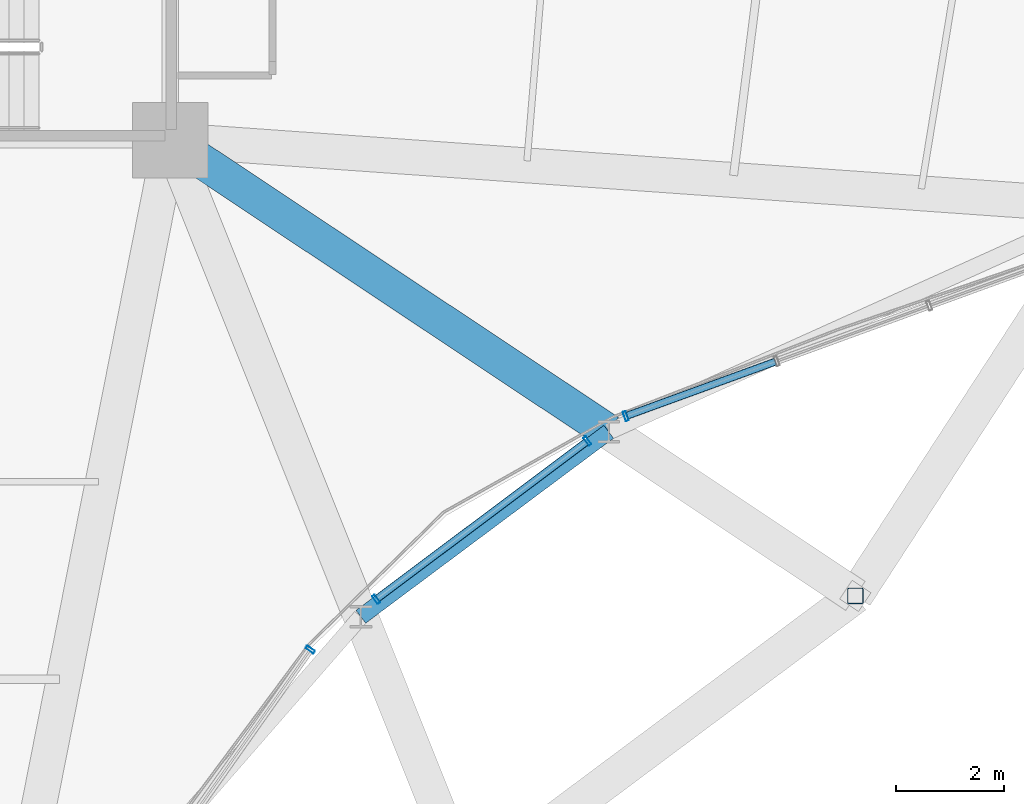
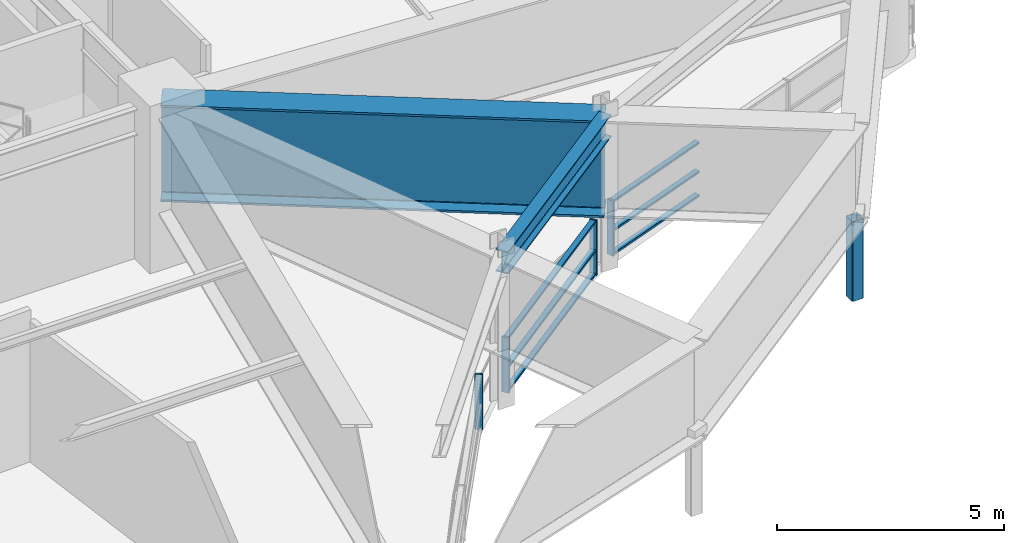
# One storey, part 22 of 53: 11 members, 2 beams, 3 elements without a shape of their own.
"""IFC4 building model written with IfcOpenShell, lengths in metres."""

from ifc_helpers import new_model, si_unit, direction, frame, origin, origin_2d, place, context, subcontext, project, spatial, hollow_rectangle, i_section, extrude, material, layer, layer_set, material_profile, profile_set, type_object, element, aggregate, save


model = new_model("IFC4")

# Units and contexts
model_context = context("Model", 3, precision=1e-05, world=origin(), true_north=direction((0.0, 1.0)))
body_context = subcontext(model_context, "Body", "Model", "MODEL_VIEW")
ifc_project = project(units=[si_unit("LENGTHUNIT", "METRE"), si_unit("AREAUNIT", "SQUARE_METRE"), si_unit("VOLUMEUNIT", "CUBIC_METRE"), si_unit("PLANEANGLEUNIT", "RADIAN"), si_unit("MASSUNIT", "GRAM", prefix="KILO")], contexts=[model_context])

# Site, building, storey
site_placement = place(None, origin())
site = spatial("IfcSite", under=ifc_project, at=site_placement, CompositionType="ELEMENT")
building_placement = place(site_placement, origin())
building = spatial("IfcBuilding", under=site, at=building_placement, Name="Kelanora Arch Commons", CompositionType="ELEMENT")
storey_placement = place(building_placement, frame((0.0, 0.0, 9.0)))
storey = spatial("IfcBuildingStorey", under=building, at=storey_placement, Name="L02", CompositionType="ELEMENT", Elevation=9.0)

# Beams
ifc_material_1 = material(Name="Steel S355", Category="steel")
ifc_material_profile_1 = material_profile(ifc_material_1, i_section(OverallWidth=0.300048828125, OverallDepth=0.60009765625, WebThickness=0.015380859375, FlangeThickness=0.030029296875, FilletRadius=0.027099609375, at=origin_2d()), Name="HEB600")
ifc_profile_set_1 = profile_set([ifc_material_profile_1], Name="Steel S355")
beam_type_1 = type_object("IfcBeamType", Name="BM-SPN-Z1", PredefinedType="SPANDREL", material=ifc_profile_set_1)
beam_1_placement = place(storey_placement, frame((85.545654296875, 42.133544921875, 3.800048828125), z_axis=(0.801474401239, 0.598029083038, 0.0), x_axis=(-0.598029083038, 0.801474401239, 0.0)))
element("IfcBeam", 1, at=beam_1_placement, inside=storey, type_object=beam_type_1, Name="Courtyard Inner Edge Spandrel BSC-30 L02", PredefinedType="SPANDREL", context=body_context, shape_type="SweptSolid", body=[
    extrude(i_section(OverallWidth=0.300048828125, OverallDepth=0.60009765625, WebThickness=0.015380859375, FlangeThickness=0.030029296875, FilletRadius=0.027099609375, at=origin_2d()), origin(), (0.0, 0.0, 1.0), 5.7529296875),
])
ifc_material_profile_2 = material_profile(ifc_material_1, i_section(OverallWidth=0.64990234375, OverallDepth=2.60009765625, WebThickness=0.034912109375, FlangeThickness=0.054931640625, FilletRadius=0.028076171875, at=origin_2d()), Name="PG2600x650")
ifc_profile_set_2 = profile_set([ifc_material_profile_2], Name="Steel S355")
beam_type_2 = type_object("IfcBeamType", Name="BM-XFER-ARCH", PredefinedType="USERDEFINED", material=ifc_profile_set_2)
beam_2_placement = place(storey_placement, frame((82.0, 51.0, 2.800048828125), z_axis=(0.832598158113, -0.553877519951, 0.0), x_axis=(0.553877519951, 0.832598158113, 0.0)))
element("IfcBeam", 2, at=beam_2_placement, inside=storey, type_object=beam_type_2, Name="Radial Inner Transfer Girder BRI-32 L02", ObjectType="TRANSFER_GIRDER", PredefinedType="USERDEFINED", context=body_context, shape_type="SweptSolid", body=[
    extrude(i_section(OverallWidth=0.64990234375, OverallDepth=2.60009765625, WebThickness=0.034912109375, FlangeThickness=0.054931640625, FilletRadius=0.028076171875, at=origin_2d()), origin(), (0.0, 0.0, 1.0), 9.79638671875),
])

# Curtain wall, member
ifc_material_2 = material(Name="Terracotta ceramic-fritted low-E glass and aluminium", Category="masonry")
ifc_layer = layer(ifc_material_2, 0.2099609375)
ifc_layer_set = layer_set([ifc_layer], Name="Terracotta ceramic-fritted low-E glass and aluminium")
curtain_wall_type = type_object("IfcCurtainWallType", Name="CW-SYS-04", PredefinedType="NOTDEFINED", material=ifc_layer_set)
curtain_wall_1_placement = place(storey_placement, origin())
curtain_wall_1 = element("IfcCurtainWall", 3, at=curtain_wall_1_placement, inside=storey, type_object=curtain_wall_type, Name="Unitised Curtain Wall L02-B14", PredefinedType="NOTDEFINED")
ifc_material_3 = material(Name="Powder-coated aluminium terracotta", Category="masonry")
ifc_material_profile_3 = material_profile(ifc_material_3, hollow_rectangle(XDim=0.179931640625, YDim=0.06005859375, WallThickness=0.0048828125, InnerFilletRadius=0.0048828125, OuterFilletRadius=0.010009765625, at=origin_2d()), Name="CWM180x60")
ifc_profile_set_3 = profile_set([ifc_material_profile_3], Name="Powder-coated aluminium terracotta")
member_type_1 = type_object("IfcMemberType", Name="CWM-HVY", PredefinedType="MULLION", material=ifc_profile_set_3)
member_1_placement = place(storey_placement, frame((84.60498046875, 41.522705078125, 0.0), z_axis=(0.0, 0.0, 1.0), x_axis=(-0.817206133555, 0.576345499922, 0.0)))
member_1 = element("IfcMember", 4, at=member_1_placement, type_object=member_type_1, Name="CW-04 mullion 3", PredefinedType="MULLION", context=body_context, shape_type="SweptSolid", body=[
    extrude(hollow_rectangle(XDim=0.179931640625, YDim=0.06005859375, WallThickness=0.0048828125, InnerFilletRadius=0.0048828125, OuterFilletRadius=0.010009765625, at=origin_2d()), origin(), (0.0, 0.0, 1.0), 1.47998046875),
])
aggregate(curtain_wall_1, [member_1])

# Curtain wall, members
curtain_wall_2_placement = place(storey_placement, origin())
curtain_wall_2 = element("IfcCurtainWall", 5, at=curtain_wall_2_placement, inside=storey, type_object=curtain_wall_type, Name="Unitised Curtain Wall L02-B15", PredefinedType="NOTDEFINED")
member_2_placement = place(storey_placement, frame((85.830810546875, 42.45849609375, 0.0), z_axis=(0.0, 0.0, 1.0), x_axis=(-0.599587813185, 0.80030897426, 0.0)))
member_2 = element("IfcMember", 6, at=member_2_placement, type_object=member_type_1, Name="CW-04 mullion 1", PredefinedType="MULLION", context=body_context, shape_type="SweptSolid", body=[
    extrude(hollow_rectangle(XDim=0.179931640625, YDim=0.06005859375, WallThickness=0.0048828125, InnerFilletRadius=0.0048828125, OuterFilletRadius=0.010009765625, at=origin_2d()), origin(), (0.0, 0.0, 1.0), 1.47998046875),
])
member_3_placement = place(storey_placement, frame((89.760009765625, 45.402099609375, 0.0), z_axis=(0.0, 0.0, 1.0), x_axis=(-0.599587813185, 0.80030897426, 0.0)))
member_3 = element("IfcMember", 7, at=member_3_placement, type_object=member_type_1, Name="CW-04 mullion 2", PredefinedType="MULLION", context=body_context, shape_type="SweptSolid", body=[
    extrude(hollow_rectangle(XDim=0.179931640625, YDim=0.06005859375, WallThickness=0.0048828125, InnerFilletRadius=0.0048828125, OuterFilletRadius=0.010009765625, at=origin_2d()), origin(), (0.0, 0.0, 1.0), 1.47998046875),
])

# Curtain wall, member
curtain_wall_3_placement = place(storey_placement, origin())
curtain_wall_3 = element("IfcCurtainWall", 8, at=curtain_wall_3_placement, inside=storey, type_object=curtain_wall_type, Name="Unitised Curtain Wall L02-B16", PredefinedType="NOTDEFINED")
member_4_placement = place(storey_placement, frame((90.473388671875, 45.865234375, 0.0), z_axis=(0.0, 0.0, 1.0), x_axis=(-0.342318215206, 0.939584077951, 0.0)))
member_4 = element("IfcMember", 9, at=member_4_placement, type_object=member_type_1, Name="CW-04 mullion 1", PredefinedType="MULLION", context=body_context, shape_type="SweptSolid", body=[
    extrude(hollow_rectangle(XDim=0.179931640625, YDim=0.06005859375, WallThickness=0.0048828125, InnerFilletRadius=0.0048828125, OuterFilletRadius=0.010009765625, at=origin_2d()), origin(), (0.0, 0.0, 1.0), 1.47998046875),
])

# Member
ifc_material_profile_4 = material_profile(ifc_material_3, hollow_rectangle(XDim=0.139892578125, YDim=0.06005859375, WallThickness=0.0048828125, InnerFilletRadius=0.0048828125, OuterFilletRadius=0.010009765625, at=origin_2d()), Name="CWT140x60")
ifc_profile_set_4 = profile_set([ifc_material_profile_4], Name="Powder-coated aluminium terracotta")
member_type_2 = type_object("IfcMemberType", Name="CWT-HVY", PredefinedType="USERDEFINED", material=ifc_profile_set_4)
member_5_placement = place(storey_placement, frame((85.854736328125, 42.4765625, 0.030029296875), z_axis=(0.800307995736, 0.599589119281, 0.0), x_axis=(-0.599589119281, 0.800307995736, 0.0)))
member_5 = element("IfcMember", 10, at=member_5_placement, type_object=member_type_2, Name="CW-04 transom 1.1", ObjectType="TRANSOM", PredefinedType="USERDEFINED", context=body_context, shape_type="SweptSolid", body=[
    extrude(hollow_rectangle(XDim=0.139892578125, YDim=0.06005859375, WallThickness=0.0048828125, InnerFilletRadius=0.0048828125, OuterFilletRadius=0.010009765625, at=origin_2d()), origin(), (0.0, 0.0, 1.0), 4.849609375),
])

member_6_placement = place(storey_placement, frame((85.854736328125, 42.4765625, 0.666015625), z_axis=(0.800307995736, 0.599589119281, 0.0), x_axis=(-0.599589119281, 0.800307995736, 0.0)))
member_6 = element("IfcMember", 11, at=member_6_placement, type_object=member_type_2, Name="CW-04 transom 1.2", ObjectType="TRANSOM", PredefinedType="USERDEFINED", context=body_context, shape_type="SweptSolid", body=[
    extrude(hollow_rectangle(XDim=0.139892578125, YDim=0.06005859375, WallThickness=0.0048828125, InnerFilletRadius=0.0048828125, OuterFilletRadius=0.010009765625, at=origin_2d()), origin(), (0.0, 0.0, 1.0), 4.849609375),
])

member_7_placement = place(storey_placement, frame((85.854736328125, 42.4765625, 1.449951171875), z_axis=(0.800307995736, 0.599589119281, 0.0), x_axis=(-0.599589119281, 0.800307995736, 0.0)))
member_7 = element("IfcMember", 12, at=member_7_placement, type_object=member_type_2, Name="CW-04 transom 1.3", ObjectType="TRANSOM", PredefinedType="USERDEFINED", context=body_context, shape_type="SweptSolid", body=[
    extrude(hollow_rectangle(XDim=0.139892578125, YDim=0.06005859375, WallThickness=0.0048828125, InnerFilletRadius=0.0048828125, OuterFilletRadius=0.010009765625, at=origin_2d()), origin(), (0.0, 0.0, 1.0), 4.849609375),
])

aggregate(curtain_wall_2, [member_2, member_3, member_5, member_6, member_7])

member_8_placement = place(storey_placement, frame((90.501708984375, 45.87548828125, 0.030029296875), z_axis=(0.939579128074, 0.342331801164, 0.0), x_axis=(-0.342331801164, 0.939579128074, 0.0)))
member_8 = element("IfcMember", 13, at=member_8_placement, type_object=member_type_2, Name="CW-04 transom 1.1", ObjectType="TRANSOM", PredefinedType="USERDEFINED", context=body_context, shape_type="SweptSolid", body=[
    extrude(hollow_rectangle(XDim=0.139892578125, YDim=0.06005859375, WallThickness=0.0048828125, InnerFilletRadius=0.0048828125, OuterFilletRadius=0.010009765625, at=origin_2d()), origin(), (0.0, 0.0, 1.0), 2.9296875),
])

member_9_placement = place(storey_placement, frame((90.501708984375, 45.87548828125, 0.666015625), z_axis=(0.939579128074, 0.342331801164, 0.0), x_axis=(-0.342331801164, 0.939579128074, 0.0)))
member_9 = element("IfcMember", 14, at=member_9_placement, type_object=member_type_2, Name="CW-04 transom 1.2", ObjectType="TRANSOM", PredefinedType="USERDEFINED", context=body_context, shape_type="SweptSolid", body=[
    extrude(hollow_rectangle(XDim=0.139892578125, YDim=0.06005859375, WallThickness=0.0048828125, InnerFilletRadius=0.0048828125, OuterFilletRadius=0.010009765625, at=origin_2d()), origin(), (0.0, 0.0, 1.0), 2.9296875),
])

member_10_placement = place(storey_placement, frame((90.501708984375, 45.87548828125, 1.449951171875), z_axis=(0.939579128074, 0.342331801164, 0.0), x_axis=(-0.342331801164, 0.939579128074, 0.0)))
member_10 = element("IfcMember", 15, at=member_10_placement, type_object=member_type_2, Name="CW-04 transom 1.3", ObjectType="TRANSOM", PredefinedType="USERDEFINED", context=body_context, shape_type="SweptSolid", body=[
    extrude(hollow_rectangle(XDim=0.139892578125, YDim=0.06005859375, WallThickness=0.0048828125, InnerFilletRadius=0.0048828125, OuterFilletRadius=0.010009765625, at=origin_2d()), origin(), (0.0, 0.0, 1.0), 2.9296875),
])

aggregate(curtain_wall_3, [member_4, member_8, member_9, member_10])

ifc_material_profile_5 = material_profile(ifc_material_1, hollow_rectangle(XDim=0.300048828125, YDim=0.300048828125, WallThickness=0.01611328125, InnerFilletRadius=0.01611328125, OuterFilletRadius=0.031982421875, at=origin_2d()), Name="SHS300x300x16")
ifc_profile_set_5 = profile_set([ifc_material_profile_5], Name="Steel S355")
member_type_3 = type_object("IfcMemberType", Name="MEM-ARCH-SPND", PredefinedType="STRUT", material=ifc_profile_set_5)
member_11_placement = place(storey_placement, frame((94.744384765625, 42.521728515625, -0.60009765625), z_axis=(0.0, 0.0, 1.0), x_axis=(1.0, 0.0, 0.0)))
element("IfcMember", 16, at=member_11_placement, inside=storey, type_object=member_type_3, Name="Courtyard Portal Spandrel Strut 32", PredefinedType="STRUT", context=body_context, shape_type="SweptSolid", body=[
    extrude(hollow_rectangle(XDim=0.300048828125, YDim=0.300048828125, WallThickness=0.01611328125, InnerFilletRadius=0.01611328125, OuterFilletRadius=0.031982421875, at=origin_2d()), origin(), (0.0, 0.0, 1.0), 2.14013671875),
])

save(model, "model.ifc")
